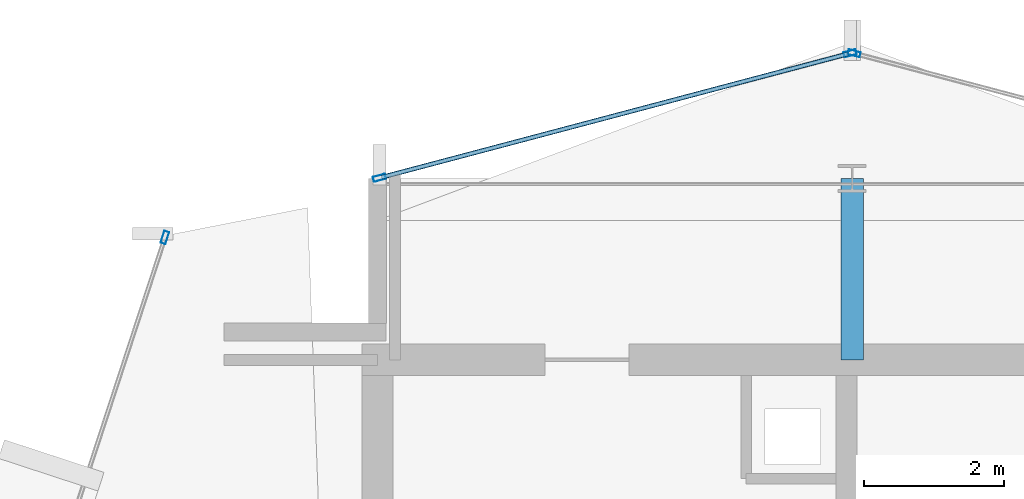
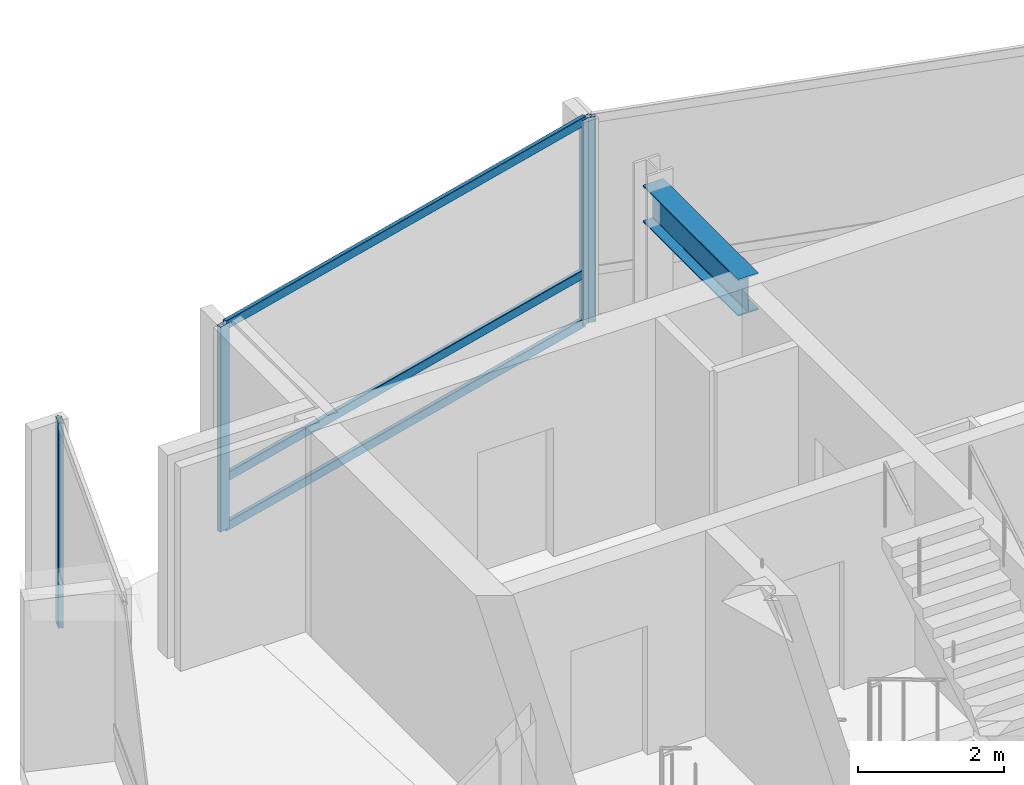
# One storey, part 16 of 27: 7 members, 1 beam, 3 elements without a shape of their own.
"""IFC4 building model written with IfcOpenShell, lengths in metres."""

from ifc_helpers import new_model, si_unit, direction, frame, origin, origin_2d, place, context, subcontext, project, spatial, hollow_rectangle, i_section, extrude, material, layer, layer_set, material_profile, profile_set, type_object, element, aggregate, save


model = new_model("IFC4")

# Units and contexts
model_context = context("Model", 3, precision=1e-05, world=origin(), true_north=direction((0.0, 1.0)))
body_context = subcontext(model_context, "Body", "Model", "MODEL_VIEW")
ifc_project = project(units=[si_unit("LENGTHUNIT", "METRE"), si_unit("AREAUNIT", "SQUARE_METRE"), si_unit("VOLUMEUNIT", "CUBIC_METRE"), si_unit("PLANEANGLEUNIT", "RADIAN"), si_unit("MASSUNIT", "GRAM", prefix="KILO")], contexts=[model_context])

# Site, building, storey
site_placement = place(None, origin())
site = spatial("IfcSite", under=ifc_project, at=site_placement, CompositionType="ELEMENT")
building_placement = place(site_placement, origin())
building = spatial("IfcBuilding", under=site, at=building_placement, Name="Solvaryn Broadcast Tower", CompositionType="ELEMENT")
storey_placement = place(building_placement, frame((0.0, 0.0, 224.699951171875)))
storey = spatial("IfcBuildingStorey", under=building, at=storey_placement, Name="L56", CompositionType="ELEMENT", Elevation=224.699951171875)

# Beam
ifc_material_1 = material(Name="Steel ASTM A992 Grade 50", Category="steel")
ifc_material_profile_1 = material_profile(ifc_material_1, i_section(OverallWidth=0.323974609375, OverallDepth=0.611083984375, WebThickness=0.0126953125, FlangeThickness=0.01904296875, FilletRadius=0.014892578125, at=origin_2d()))
ifc_profile_set_1 = profile_set([ifc_material_profile_1], Name="Steel ASTM A992 Grade 50")
beam_type = type_object("IfcBeamType", Name="BM-B1-W24X104", PredefinedType="BEAM", material=ifc_profile_set_1)
beam_placement = place(storey_placement, frame((18.0, 42.39990234375, 3.114501953125), z_axis=(0.0, 1.0, 0.0), x_axis=(-1.0, 0.0, 0.0)))
element("IfcBeam", 1, at=beam_placement, inside=storey, type_object=beam_type, Name="L56 Core Tie Beam CTW3", PredefinedType="BEAM", context=body_context, shape_type="SweptSolid", body=[
    extrude(i_section(OverallWidth=0.323974609375, OverallDepth=0.611083984375, WebThickness=0.0126953125, FlangeThickness=0.01904296875, FilletRadius=0.014892578125, at=origin_2d()), origin(), (0.0, 0.0, 1.0), 2.60009765625),
])

# Curtain wall, member
ifc_material_2 = material(Name="Aluminium and Terracotta Unitised Curtain Wall", Category="masonry")
ifc_layer = layer(ifc_material_2, 0.199951171875)
ifc_layer_set = layer_set([ifc_layer], Name="CW-SYS2-LOWMID")
curtain_wall_type = type_object("IfcCurtainWallType", Name="CW-SYS2-LOWMID", PredefinedType="NOTDEFINED", material=ifc_layer_set)
curtain_wall_1_placement = place(storey_placement, origin())
curtain_wall_1 = element("IfcCurtainWall", 2, at=curtain_wall_1_placement, inside=storey, type_object=curtain_wall_type, Name="L56 Curtain Wall DR1", PredefinedType="NOTDEFINED")
ifc_material_3 = material(Name="Anodised Aluminium 6063-T6", Category="aluminium")
ifc_material_profile_2 = material_profile(ifc_material_3, hollow_rectangle(XDim=0.074951171875, YDim=0.179931640625, WallThickness=0.00390625, InnerFilletRadius=0.00390625, OuterFilletRadius=0.008056640625, at=origin_2d()))
ifc_profile_set_2 = profile_set([ifc_material_profile_2], Name="Anodised Aluminium 6063-T6")
member_type_1 = type_object("IfcMemberType", Name="CW-MUL-180", PredefinedType="MULLION", material=ifc_profile_set_2)
member_1_placement = place(storey_placement, frame((8.153564453125, 44.153564453125, 0.0), z_axis=(0.0, 0.0, 1.0), x_axis=(0.950226902099, -0.311558717623, 0.0)))
member_1 = element("IfcMember", 3, at=member_1_placement, type_object=member_type_1, Name="CWS2 mullion 1", PredefinedType="MULLION", context=body_context, shape_type="SweptSolid", body=[
    extrude(hollow_rectangle(XDim=0.074951171875, YDim=0.179931640625, WallThickness=0.00390625, InnerFilletRadius=0.00390625, OuterFilletRadius=0.008056640625, at=origin_2d()), origin(), (0.0, 0.0, 1.0), 3.420166015625),
])
aggregate(curtain_wall_1, [member_1])

curtain_wall_2_placement = place(storey_placement, origin())
curtain_wall_2 = element("IfcCurtainWall", 4, at=curtain_wall_2_placement, inside=storey, type_object=curtain_wall_type, Name="L56 Curtain Wall NT1", PredefinedType="NOTDEFINED")
member_2_placement = place(storey_placement, frame((18.029052734375, 46.792236328125, 0.0), z_axis=(0.0, 0.0, 1.0), x_axis=(-0.25589256031, -0.966705227863, 0.0)))
member_2 = element("IfcMember", 5, at=member_2_placement, type_object=member_type_1, Name="CWS2 mullion 2", PredefinedType="MULLION", context=body_context, shape_type="SweptSolid", body=[
    extrude(hollow_rectangle(XDim=0.074951171875, YDim=0.179931640625, WallThickness=0.00390625, InnerFilletRadius=0.00390625, OuterFilletRadius=0.008056640625, at=origin_2d()), origin(), (0.0, 0.0, 1.0), 3.420166015625),
])
aggregate(curtain_wall_2, [member_2])

# Curtain wall, members
curtain_wall_3_placement = place(storey_placement, origin())
curtain_wall_3 = element("IfcCurtainWall", 6, at=curtain_wall_3_placement, inside=storey, type_object=curtain_wall_type, Name="L56 Curtain Wall NT2", PredefinedType="NOTDEFINED")
member_3_placement = place(storey_placement, frame((17.970947265625, 46.792236328125, 0.0), z_axis=(0.0, 0.0, 1.0), x_axis=(0.25589256031, -0.966705227863, 0.0)))
member_3 = element("IfcMember", 7, at=member_3_placement, type_object=member_type_1, Name="CWS2 mullion 1", PredefinedType="MULLION", context=body_context, shape_type="SweptSolid", body=[
    extrude(hollow_rectangle(XDim=0.074951171875, YDim=0.179931640625, WallThickness=0.00390625, InnerFilletRadius=0.00390625, OuterFilletRadius=0.008056640625, at=origin_2d()), origin(), (0.0, 0.0, 1.0), 3.420166015625),
])
member_4_placement = place(storey_placement, frame((11.22900390625, 45.007568359375, 0.0), z_axis=(0.0, 0.0, 1.0), x_axis=(0.25589256031, -0.966705227863, 0.0)))
member_4 = element("IfcMember", 8, at=member_4_placement, type_object=member_type_1, Name="CWS2 mullion 2", PredefinedType="MULLION", context=body_context, shape_type="SweptSolid", body=[
    extrude(hollow_rectangle(XDim=0.074951171875, YDim=0.179931640625, WallThickness=0.00390625, InnerFilletRadius=0.00390625, OuterFilletRadius=0.008056640625, at=origin_2d()), origin(), (0.0, 0.0, 1.0), 3.420166015625),
])
ifc_material_4 = material(Name="Anodised Aluminium 6063-T6", Category="aluminium")
ifc_material_profile_3 = material_profile(ifc_material_4, hollow_rectangle(XDim=0.06494140625, YDim=0.14990234375, WallThickness=0.00390625, InnerFilletRadius=0.00390625, OuterFilletRadius=0.008056640625, at=origin_2d()))
ifc_profile_set_3 = profile_set([ifc_material_profile_3], Name="Anodised Aluminium 6063-T6")
member_type_2 = type_object("IfcMemberType", Name="CW-TRN-150", PredefinedType="USERDEFINED", material=ifc_profile_set_3)
member_5_placement = place(storey_placement, frame((17.94189453125, 46.78466796875, 0.030029296875), z_axis=(-0.966703943301, -0.255897413051, 0.0), x_axis=(0.255897413051, -0.966703943301, 0.0)))
member_5 = element("IfcMember", 9, at=member_5_placement, type_object=member_type_2, Name="CWS2 transom 1.1", ObjectType="TRANSOM", PredefinedType="USERDEFINED", context=body_context, shape_type="SweptSolid", body=[
    extrude(hollow_rectangle(XDim=0.06494140625, YDim=0.14990234375, WallThickness=0.00390625, InnerFilletRadius=0.00390625, OuterFilletRadius=0.008056640625, at=origin_2d()), origin(), (0.0, 0.0, 1.0), 6.9140625),
])
member_6_placement = place(storey_placement, frame((17.94189453125, 46.78466796875, 0.85009765625), z_axis=(-0.966703943301, -0.255897413051, 0.0), x_axis=(0.255897413051, -0.966703943301, 0.0)))
member_6 = element("IfcMember", 10, at=member_6_placement, type_object=member_type_2, Name="CWS2 transom 1.2", ObjectType="TRANSOM", PredefinedType="USERDEFINED", context=body_context, shape_type="SweptSolid", body=[
    extrude(hollow_rectangle(XDim=0.06494140625, YDim=0.14990234375, WallThickness=0.00390625, InnerFilletRadius=0.00390625, OuterFilletRadius=0.008056640625, at=origin_2d()), origin(), (0.0, 0.0, 1.0), 6.9140625),
])
member_7_placement = place(storey_placement, frame((17.94189453125, 46.78466796875, 3.39013671875), z_axis=(-0.966703943301, -0.255897413051, 0.0), x_axis=(0.255897413051, -0.966703943301, 0.0)))
member_7 = element("IfcMember", 11, at=member_7_placement, type_object=member_type_2, Name="CWS2 transom 1.3", ObjectType="TRANSOM", PredefinedType="USERDEFINED", context=body_context, shape_type="SweptSolid", body=[
    extrude(hollow_rectangle(XDim=0.06494140625, YDim=0.14990234375, WallThickness=0.00390625, InnerFilletRadius=0.00390625, OuterFilletRadius=0.008056640625, at=origin_2d()), origin(), (0.0, 0.0, 1.0), 6.9140625),
])
aggregate(curtain_wall_3, [member_3, member_4, member_5, member_6, member_7])

save(model, "model.ifc")
